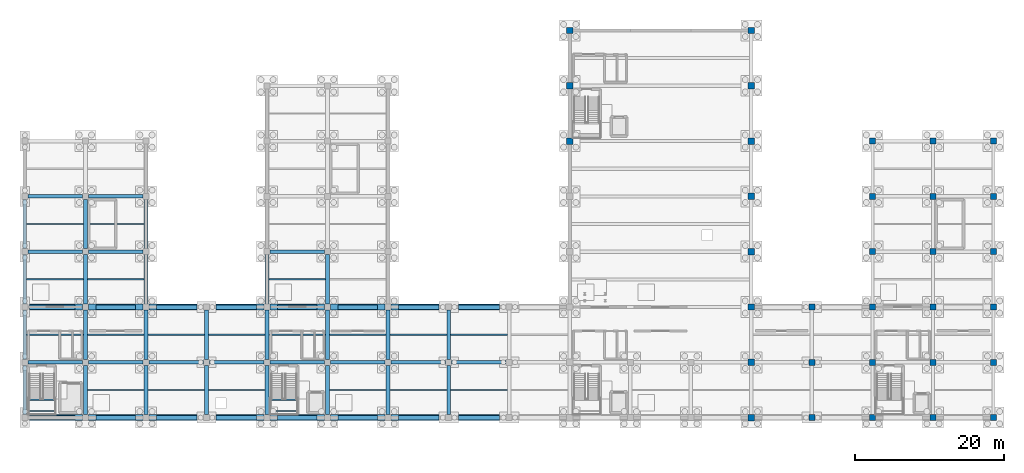
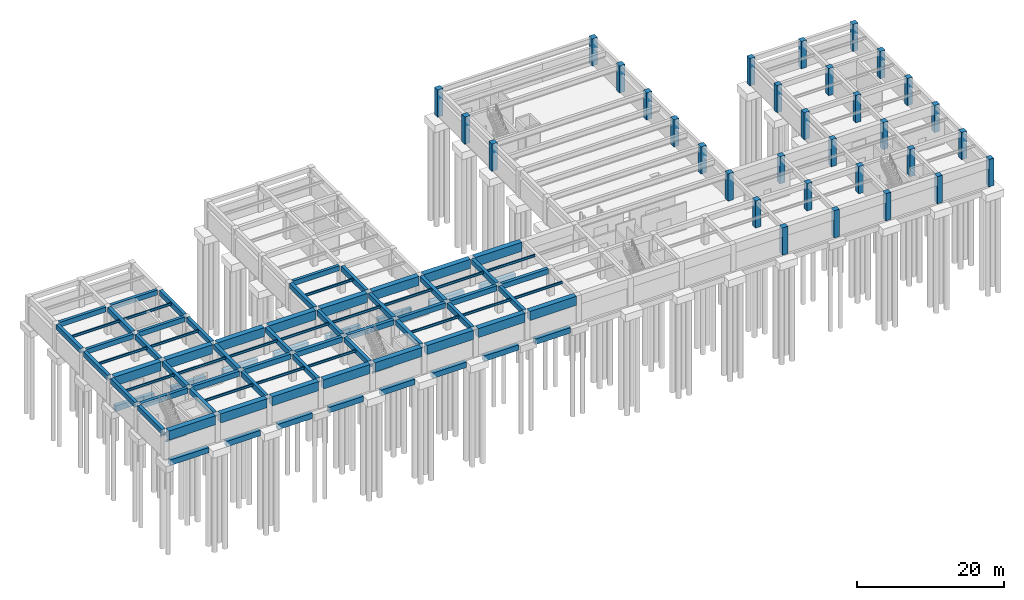
# One storey, part 4 of 14: 92 beams, 32 columns.
"""IFC4 building model written with IfcOpenShell, lengths in metres."""

from ifc_helpers import new_model, si_unit, direction, frame, origin, origin_2d, place, context, subcontext, project, spatial, rectangle, i_section, extrude, material, material_profile, profile_set, type_object, element, save


model = new_model("IFC4")

# Units and contexts
model_context = context("Model", 3, precision=1e-05, world=origin(), true_north=direction((0.0, 1.0)))
body_context = subcontext(model_context, "Body", "Model", "MODEL_VIEW")
ifc_project = project(units=[si_unit("LENGTHUNIT", "METRE"), si_unit("AREAUNIT", "SQUARE_METRE"), si_unit("VOLUMEUNIT", "CUBIC_METRE"), si_unit("PLANEANGLEUNIT", "RADIAN"), si_unit("MASSUNIT", "GRAM", prefix="KILO")], contexts=[model_context])

# Site, building, storey
site_placement = place(None, origin())
site = spatial("IfcSite", under=ifc_project, at=site_placement, CompositionType="ELEMENT")
building_placement = place(site_placement, origin())
building = spatial("IfcBuilding", under=site, at=building_placement, Name="Cimatlan Art Gallery", CompositionType="ELEMENT")
storey_placement = place(building_placement, frame((0.0, 0.0, -4.800048828125)))
storey = spatial("IfcBuildingStorey", under=building, at=storey_placement, Name="B1", CompositionType="ELEMENT", Elevation=-4.800048828125)

# Columns
ifc_material_1 = material(Name="Concrete C45/55", Category="concrete")
ifc_material_profile_1 = material_profile(ifc_material_1, rectangle(XDim=0.800048828125, YDim=0.800048828125, at=origin_2d()), Name="RC800X800")
ifc_profile_set_1 = profile_set([ifc_material_profile_1], Name="Concrete C45/55")
column_type_1 = type_object("IfcColumnType", Name="COL-RC-800", PredefinedType="COLUMN", material=ifc_profile_set_1)
for number, where, z_axis, x_axis, name in (
    (1, (107.300048828125, 23.89990234375, 0.0), (0.0, 0.0, 1.0), (1.0, 0.0, 0.0), "COL-B1-13-03"),
    (2, (107.300048828125, 31.300048828125, 0.0), (0.0, 0.0, 1.0), (1.0, 0.0, 0.0), "COL-B1-13-04"),
    (3, (107.300048828125, 38.699951171875, 0.0), (0.0, 0.0, 1.0), (1.0, 0.0, 0.0), "COL-B1-13-05"),
    (4, (115.39990234375, 23.89990234375, 0.0), (0.0, 0.0, 1.0), (1.0, 0.0, 0.0), "COL-B1-14-03"),
    (5, (115.39990234375, 31.300048828125, 0.0), (0.0, 0.0, 1.0), (1.0, 0.0, 0.0), "COL-B1-14-04"),
    (6, (115.39990234375, 38.699951171875, 0.0), (0.0, 0.0, 1.0), (1.0, 0.0, 0.0), "COL-B1-14-05"),
    (7, (115.39990234375, 46.10009765625, 0.0), (0.0, 0.0, 1.0), (1.0, 0.0, 0.0), "COL-B1-14-06"),
    (8, (115.39990234375, 53.5, 0.0), (0.0, 0.0, 1.0), (1.0, 0.0, 0.0), "COL-B1-14-07"),
    (9, (115.39990234375, 60.89990234375, 0.0), (0.0, 0.0, 1.0), (1.0, 0.0, 0.0), "COL-B1-14-08"),
    (10, (123.5, 23.89990234375, 0.0), (0.0, 0.0, 1.0), (1.0, 0.0, 0.0), "COL-B1-15-03"),
    (11, (123.5, 31.300048828125, 0.0), (0.0, 0.0, 1.0), (1.0, 0.0, 0.0), "COL-B1-15-04"),
    (12, (123.5, 38.699951171875, 0.0), (0.0, 0.0, 1.0), (1.0, 0.0, 0.0), "COL-B1-15-05"),
    (13, (123.5, 46.10009765625, 0.0), (0.0, 0.0, 1.0), (1.0, 0.0, 0.0), "COL-B1-15-06"),
    (14, (123.5, 53.5, 0.0), (0.0, 0.0, 1.0), (1.0, 0.0, 0.0), "COL-B1-15-07"),
    (15, (123.5, 60.89990234375, 0.0), (0.0, 0.0, 1.0), (1.0, 0.0, 0.0), "COL-B1-15-08"),
    (16, (131.60009765625, 23.89990234375, 0.0), (0.0, 0.0, 1.0), (1.0, 0.0, 0.0), "COL-B1-16-03"),
    (17, (131.60009765625, 31.300048828125, 0.0), (0.0, 0.0, 1.0), (1.0, 0.0, 0.0), "COL-B1-16-04"),
    (18, (131.60009765625, 38.699951171875, 0.0), (0.0, 0.0, 1.0), (1.0, 0.0, 0.0), "COL-B1-16-05"),
    (19, (131.60009765625, 46.10009765625, 0.0), (0.0, 0.0, 1.0), (1.0, 0.0, 0.0), "COL-B1-16-06"),
    (20, (131.60009765625, 53.5, 0.0), (0.0, 0.0, 1.0), (1.0, 0.0, 0.0), "COL-B1-16-07"),
    (21, (131.60009765625, 60.89990234375, 0.0), (0.0, 0.0, 1.0), (1.0, 0.0, 0.0), "COL-B1-16-08"),
):
    element("IfcColumn", number, at=place(storey_placement, frame(where, z_axis=z_axis, x_axis=x_axis)), inside=storey, type_object=column_type_1, Name=name, PredefinedType="COLUMN", context=body_context, shape_type="SweptSolid", body=[
        extrude(rectangle(XDim=0.800048828125, YDim=0.800048828125, at=origin_2d()), origin(), (0.0, 0.0, 1.0), 4.52001953125),
    ])
ifc_material_profile_2 = material_profile(ifc_material_1, rectangle(XDim=0.85009765625, YDim=0.85009765625, at=origin_2d()), Name="RC850X850")
ifc_profile_set_2 = profile_set([ifc_material_profile_2], Name="Concrete C45/55")
column_type_2 = type_object("IfcColumnType", Name="COL-RC-850", PredefinedType="COLUMN", material=ifc_profile_set_2)
for number, where, z_axis, x_axis, name in (
    (22, (74.89990234375, 60.89990234375, 0.0), (0.0, 0.0, 1.0), (1.0, 0.0, 0.0), "COL-B1-09-08"),
    (23, (74.89990234375, 68.300048828125, 0.0), (0.0, 0.0, 1.0), (1.0, 0.0, 0.0), "COL-B1-09-09"),
    (24, (74.89990234375, 75.699951171875, 0.0), (0.0, 0.0, 1.0), (1.0, 0.0, 0.0), "COL-B1-09-10"),
    (25, (99.199951171875, 23.89990234375, 0.0), (0.0, 0.0, 1.0), (1.0, 0.0, 0.0), "COL-B1-12-03"),
    (26, (99.199951171875, 31.300048828125, 0.0), (0.0, 0.0, 1.0), (1.0, 0.0, 0.0), "COL-B1-12-04"),
    (27, (99.199951171875, 38.699951171875, 0.0), (0.0, 0.0, 1.0), (1.0, 0.0, 0.0), "COL-B1-12-05"),
    (28, (99.199951171875, 46.10009765625, 0.0), (0.0, 0.0, 1.0), (1.0, 0.0, 0.0), "COL-B1-12-06"),
    (29, (99.199951171875, 53.5, 0.0), (0.0, 0.0, 1.0), (1.0, 0.0, 0.0), "COL-B1-12-07"),
    (30, (99.199951171875, 60.89990234375, 0.0), (0.0, 0.0, 1.0), (1.0, 0.0, 0.0), "COL-B1-12-08"),
    (31, (99.199951171875, 68.300048828125, 0.0), (0.0, 0.0, 1.0), (1.0, 0.0, 0.0), "COL-B1-12-09"),
    (32, (99.199951171875, 75.699951171875, 0.0), (0.0, 0.0, 1.0), (1.0, 0.0, 0.0), "COL-B1-12-10"),
):
    element("IfcColumn", number, at=place(storey_placement, frame(where, z_axis=z_axis, x_axis=x_axis)), inside=storey, type_object=column_type_2, Name=name, PredefinedType="COLUMN", context=body_context, shape_type="SweptSolid", body=[
        extrude(rectangle(XDim=0.85009765625, YDim=0.85009765625, at=origin_2d()), origin(), (0.0, 0.0, 1.0), 4.52001953125),
    ])

# Beams
ifc_material_2 = material(Name="Concrete C40/50", Category="concrete")
ifc_material_profile_3 = material_profile(ifc_material_2, rectangle(XDim=0.60009765625, YDim=0.89990234375, at=origin_2d()), Name="RC600X900")
ifc_profile_set_3 = profile_set([ifc_material_profile_3], Name="Concrete C40/50")
beam_type_1 = type_object("IfcBeamType", Name="BM-GB-600X900", PredefinedType="BEAM", material=ifc_profile_set_3)
for number, where, z_axis, x_axis, name in (
    (33, (2.64990234375, 23.89990234375, -0.89990234375), (1.0, 0.0, 0.0), (0.0, 1.0, 0.0), "BM-GB-X-00-03"),
    (34, (2.64990234375, 38.699951171875, -0.89990234375), (1.0, 0.0, 0.0), (0.0, 1.0, 0.0), "BM-GB-X-00-05"),
):
    element("IfcBeam", number, at=place(storey_placement, frame(where, z_axis=z_axis, x_axis=x_axis)), inside=storey, type_object=beam_type_1, Name=name, PredefinedType="BEAM", context=body_context, shape_type="SweptSolid", body=[
        extrude(rectangle(XDim=0.60009765625, YDim=0.89990234375, at=origin_2d()), origin(), (0.0, 0.0, 1.0), 6.050048828125),
    ])
for number, where, z_axis, x_axis, name in (
    (35, (11.5, 23.89990234375, -0.89990234375), (1.0, 0.0, 0.0), (0.0, 1.0, 0.0), "BM-GB-X-01-03"),
    (36, (11.5, 38.699951171875, -0.89990234375), (1.0, 0.0, 0.0), (0.0, 1.0, 0.0), "BM-GB-X-01-05"),
):
    element("IfcBeam", number, at=place(storey_placement, frame(where, z_axis=z_axis, x_axis=x_axis)), inside=storey, type_object=beam_type_1, Name=name, PredefinedType="BEAM", context=body_context, shape_type="SweptSolid", body=[
        extrude(rectangle(XDim=0.60009765625, YDim=0.89990234375, at=origin_2d()), origin(), (0.0, 0.0, 1.0), 5.300048828125),
    ])
for number, where, z_axis, x_axis, name in (
    (37, (19.60009765625, 23.89990234375, -0.89990234375), (1.0, 0.0, 0.0), (0.0, 1.0, 0.0), "BM-GB-X-02-03"),
    (38, (19.60009765625, 38.699951171875, -0.89990234375), (1.0, 0.0, 0.0), (0.0, 1.0, 0.0), "BM-GB-X-02-05"),
    (39, (27.60009765625, 23.89990234375, -0.89990234375), (1.0, 0.0, 0.0), (0.0, 1.0, 0.0), "BM-GB-X-03-03"),
    (40, (27.60009765625, 38.699951171875, -0.89990234375), (1.0, 0.0, 0.0), (0.0, 1.0, 0.0), "BM-GB-X-03-05"),
):
    element("IfcBeam", number, at=place(storey_placement, frame(where, z_axis=z_axis, x_axis=x_axis)), inside=storey, type_object=beam_type_1, Name=name, PredefinedType="BEAM", context=body_context, shape_type="SweptSolid", body=[
        extrude(rectangle(XDim=0.60009765625, YDim=0.89990234375, at=origin_2d()), origin(), (0.0, 0.0, 1.0), 5.39990234375),
    ])
for number, where, z_axis, x_axis, name in (
    (41, (35.800048828125, 23.89990234375, -0.89990234375), (1.0, 0.0, 0.0), (0.0, 1.0, 0.0), "BM-GB-X-04-03"),
    (42, (35.800048828125, 38.699951171875, -0.89990234375), (1.0, 0.0, 0.0), (0.0, 1.0, 0.0), "BM-GB-X-04-05"),
    (43, (43.89990234375, 23.89990234375, -0.89990234375), (1.0, 0.0, 0.0), (0.0, 1.0, 0.0), "BM-GB-X-05-03"),
    (44, (43.89990234375, 38.699951171875, -0.89990234375), (1.0, 0.0, 0.0), (0.0, 1.0, 0.0), "BM-GB-X-05-05"),
):
    element("IfcBeam", number, at=place(storey_placement, frame(where, z_axis=z_axis, x_axis=x_axis)), inside=storey, type_object=beam_type_1, Name=name, PredefinedType="BEAM", context=body_context, shape_type="SweptSolid", body=[
        extrude(rectangle(XDim=0.60009765625, YDim=0.89990234375, at=origin_2d()), origin(), (0.0, 0.0, 1.0), 5.300048828125),
    ])
for number, where, z_axis, x_axis, name in (
    (45, (52.0, 23.89990234375, -0.89990234375), (1.0, 0.0, 0.0), (0.0, 1.0, 0.0), "BM-GB-X-06-03"),
    (46, (52.0, 38.699951171875, -0.89990234375), (1.0, 0.0, 0.0), (0.0, 1.0, 0.0), "BM-GB-X-06-05"),
):
    element("IfcBeam", number, at=place(storey_placement, frame(where, z_axis=z_axis, x_axis=x_axis)), inside=storey, type_object=beam_type_1, Name=name, PredefinedType="BEAM", context=body_context, shape_type="SweptSolid", body=[
        extrude(rectangle(XDim=0.60009765625, YDim=0.89990234375, at=origin_2d()), origin(), (0.0, 0.0, 1.0), 5.39990234375),
    ])
for number, where, z_axis, x_axis, name in (
    (47, (60.0, 23.89990234375, -0.89990234375), (1.0, 0.0, 0.0), (0.0, 1.0, 0.0), "BM-GB-X-07-03"),
    (48, (60.0, 38.699951171875, -0.89990234375), (1.0, 0.0, 0.0), (0.0, 1.0, 0.0), "BM-GB-X-07-05"),
):
    element("IfcBeam", number, at=place(storey_placement, frame(where, z_axis=z_axis, x_axis=x_axis)), inside=storey, type_object=beam_type_1, Name=name, PredefinedType="BEAM", context=body_context, shape_type="SweptSolid", body=[
        extrude(rectangle(XDim=0.60009765625, YDim=0.89990234375, at=origin_2d()), origin(), (0.0, 0.0, 1.0), 5.5),
    ])
ifc_material_profile_4 = material_profile(ifc_material_2, rectangle(XDim=0.449951171875, YDim=0.800048828125, at=origin_2d()), Name="RC450X800")
ifc_profile_set_4 = profile_set([ifc_material_profile_4], Name="Concrete C40/50")
beam_type_2 = type_object("IfcBeamType", Name="BM-RC-450X800", PredefinedType="BEAM", material=ifc_profile_set_4)
for number, where, z_axis, x_axis, name in (
    (49, (2.39990234375, 46.10009765625, 4.1201171875), (1.0, 0.0, 0.0), (0.0, 1.0, 0.0), "BM-X-B1-00-06"),
    (50, (2.39990234375, 53.5, 4.1201171875), (1.0, 0.0, 0.0), (0.0, 1.0, 0.0), "BM-X-B1-00-07"),
    (51, (10.5, 46.10009765625, 4.1201171875), (1.0, 0.0, 0.0), (0.0, 1.0, 0.0), "BM-X-B1-01-06"),
    (52, (10.5, 53.5, 4.1201171875), (1.0, 0.0, 0.0), (0.0, 1.0, 0.0), "BM-X-B1-01-07"),
    (53, (34.800048828125, 46.10009765625, 4.1201171875), (1.0, 0.0, 0.0), (0.0, 1.0, 0.0), "BM-X-B1-04-06"),
):
    element("IfcBeam", number, at=place(storey_placement, frame(where, z_axis=z_axis, x_axis=x_axis)), inside=storey, type_object=beam_type_2, Name=name, PredefinedType="BEAM", context=body_context, shape_type="SweptSolid", body=[
        extrude(rectangle(XDim=0.449951171875, YDim=0.800048828125, at=origin_2d()), origin(), (0.0, 0.0, 1.0), 7.300048828125),
    ])
ifc_material_profile_5 = material_profile(ifc_material_2, rectangle(XDim=0.5, YDim=0.85009765625, at=origin_2d()), Name="RC500X850")
ifc_profile_set_5 = profile_set([ifc_material_profile_5], Name="Concrete C40/50")
beam_type_3 = type_object("IfcBeamType", Name="BM-RC-500X850", PredefinedType="BEAM", material=ifc_profile_set_5)
beam_1_placement = place(storey_placement, frame((2.0, 24.300048828125, 4.094970703125), z_axis=(0.0, 1.0, 0.0), x_axis=(-1.0, 0.0, 0.0)))
element("IfcBeam", 54, at=beam_1_placement, inside=storey, type_object=beam_type_3, Name="BM-Y-B1-00-03", PredefinedType="BEAM", context=body_context, shape_type="SweptSolid", body=[
    extrude(rectangle(XDim=0.5, YDim=0.85009765625, at=origin_2d()), origin(), (0.0, 0.0, 1.0), 6.599853515625),
])
beam_2_placement = place(storey_placement, frame((2.0, 31.699951171875, 4.094970703125), z_axis=(0.0, 1.0, 0.0), x_axis=(-1.0, 0.0, 0.0)))
element("IfcBeam", 55, at=beam_2_placement, inside=storey, type_object=beam_type_3, Name="BM-Y-B1-00-04", PredefinedType="BEAM", context=body_context, shape_type="SweptSolid", body=[
    extrude(rectangle(XDim=0.5, YDim=0.85009765625, at=origin_2d()), origin(), (0.0, 0.0, 1.0), 6.60009765625),
])
beam_3_placement = place(storey_placement, frame((2.0, 39.10009765625, 4.094970703125), z_axis=(0.0, 1.0, 0.0), x_axis=(-1.0, 0.0, 0.0)))
element("IfcBeam", 56, at=beam_3_placement, inside=storey, type_object=beam_type_3, Name="BM-Y-B1-00-05", PredefinedType="BEAM", context=body_context, shape_type="SweptSolid", body=[
    extrude(rectangle(XDim=0.5, YDim=0.85009765625, at=origin_2d()), origin(), (0.0, 0.0, 1.0), 6.599853515625),
])
beam_4_placement = place(storey_placement, frame((2.0, 46.5, 4.094970703125), z_axis=(0.0, 1.0, 0.0), x_axis=(-1.0, 0.0, 0.0)))
element("IfcBeam", 57, at=beam_4_placement, inside=storey, type_object=beam_type_3, Name="BM-Y-B1-00-06", PredefinedType="BEAM", context=body_context, shape_type="SweptSolid", body=[
    extrude(rectangle(XDim=0.5, YDim=0.85009765625, at=origin_2d()), origin(), (0.0, 0.0, 1.0), 6.60009765625),
])
beam_5_placement = place(storey_placement, frame((10.10009765625, 24.300048828125, 4.094970703125), z_axis=(0.0, 1.0, 0.0), x_axis=(-1.0, 0.0, 0.0)))
element("IfcBeam", 58, at=beam_5_placement, inside=storey, type_object=beam_type_3, Name="BM-Y-B1-01-03", PredefinedType="BEAM", context=body_context, shape_type="SweptSolid", body=[
    extrude(rectangle(XDim=0.5, YDim=0.85009765625, at=origin_2d()), origin(), (0.0, 0.0, 1.0), 6.599853515625),
])
beam_6_placement = place(storey_placement, frame((10.10009765625, 31.699951171875, 4.094970703125), z_axis=(0.0, 1.0, 0.0), x_axis=(-1.0, 0.0, 0.0)))
element("IfcBeam", 59, at=beam_6_placement, inside=storey, type_object=beam_type_3, Name="BM-Y-B1-01-04", PredefinedType="BEAM", context=body_context, shape_type="SweptSolid", body=[
    extrude(rectangle(XDim=0.5, YDim=0.85009765625, at=origin_2d()), origin(), (0.0, 0.0, 1.0), 6.60009765625),
])
beam_7_placement = place(storey_placement, frame((10.10009765625, 39.10009765625, 4.094970703125), z_axis=(0.0, 1.0, 0.0), x_axis=(-1.0, 0.0, 0.0)))
element("IfcBeam", 60, at=beam_7_placement, inside=storey, type_object=beam_type_3, Name="BM-Y-B1-01-05", PredefinedType="BEAM", context=body_context, shape_type="SweptSolid", body=[
    extrude(rectangle(XDim=0.5, YDim=0.85009765625, at=origin_2d()), origin(), (0.0, 0.0, 1.0), 6.599853515625),
])
beam_8_placement = place(storey_placement, frame((10.10009765625, 46.5, 4.094970703125), z_axis=(0.0, 1.0, 0.0), x_axis=(-1.0, 0.0, 0.0)))
element("IfcBeam", 61, at=beam_8_placement, inside=storey, type_object=beam_type_3, Name="BM-Y-B1-01-06", PredefinedType="BEAM", context=body_context, shape_type="SweptSolid", body=[
    extrude(rectangle(XDim=0.5, YDim=0.85009765625, at=origin_2d()), origin(), (0.0, 0.0, 1.0), 6.60009765625),
])
beam_9_placement = place(storey_placement, frame((18.199951171875, 24.300048828125, 4.094970703125), z_axis=(0.0, 1.0, 0.0), x_axis=(-1.0, 0.0, 0.0)))
element("IfcBeam", 62, at=beam_9_placement, inside=storey, type_object=beam_type_3, Name="BM-Y-B1-02-03", PredefinedType="BEAM", context=body_context, shape_type="SweptSolid", body=[
    extrude(rectangle(XDim=0.5, YDim=0.85009765625, at=origin_2d()), origin(), (0.0, 0.0, 1.0), 6.599853515625),
])
beam_10_placement = place(storey_placement, frame((18.199951171875, 31.699951171875, 4.094970703125), z_axis=(0.0, 1.0, 0.0), x_axis=(-1.0, 0.0, 0.0)))
element("IfcBeam", 63, at=beam_10_placement, inside=storey, type_object=beam_type_3, Name="BM-Y-B1-02-04", PredefinedType="BEAM", context=body_context, shape_type="SweptSolid", body=[
    extrude(rectangle(XDim=0.5, YDim=0.85009765625, at=origin_2d()), origin(), (0.0, 0.0, 1.0), 6.60009765625),
])
beam_11_placement = place(storey_placement, frame((18.199951171875, 39.10009765625, 4.094970703125), z_axis=(0.0, 1.0, 0.0), x_axis=(-1.0, 0.0, 0.0)))
element("IfcBeam", 64, at=beam_11_placement, inside=storey, type_object=beam_type_3, Name="BM-Y-B1-02-05", PredefinedType="BEAM", context=body_context, shape_type="SweptSolid", body=[
    extrude(rectangle(XDim=0.5, YDim=0.85009765625, at=origin_2d()), origin(), (0.0, 0.0, 1.0), 6.599853515625),
])
beam_12_placement = place(storey_placement, frame((18.199951171875, 46.5, 4.094970703125), z_axis=(0.0, 1.0, 0.0), x_axis=(-1.0, 0.0, 0.0)))
element("IfcBeam", 65, at=beam_12_placement, inside=storey, type_object=beam_type_3, Name="BM-Y-B1-02-06", PredefinedType="BEAM", context=body_context, shape_type="SweptSolid", body=[
    extrude(rectangle(XDim=0.5, YDim=0.85009765625, at=origin_2d()), origin(), (0.0, 0.0, 1.0), 6.60009765625),
])
beam_13_placement = place(storey_placement, frame((26.300048828125, 24.300048828125, 4.094970703125), z_axis=(0.0, 1.0, 0.0), x_axis=(-1.0, 0.0, 0.0)))
element("IfcBeam", 66, at=beam_13_placement, inside=storey, type_object=beam_type_3, Name="BM-Y-B1-03-03", PredefinedType="BEAM", context=body_context, shape_type="SweptSolid", body=[
    extrude(rectangle(XDim=0.5, YDim=0.85009765625, at=origin_2d()), origin(), (0.0, 0.0, 1.0), 6.599853515625),
])
beam_14_placement = place(storey_placement, frame((26.300048828125, 31.699951171875, 4.094970703125), z_axis=(0.0, 1.0, 0.0), x_axis=(-1.0, 0.0, 0.0)))
element("IfcBeam", 67, at=beam_14_placement, inside=storey, type_object=beam_type_3, Name="BM-Y-B1-03-04", PredefinedType="BEAM", context=body_context, shape_type="SweptSolid", body=[
    extrude(rectangle(XDim=0.5, YDim=0.85009765625, at=origin_2d()), origin(), (0.0, 0.0, 1.0), 6.60009765625),
])
beam_15_placement = place(storey_placement, frame((34.39990234375, 24.300048828125, 4.094970703125), z_axis=(0.0, 1.0, 0.0), x_axis=(-1.0, 0.0, 0.0)))
element("IfcBeam", 68, at=beam_15_placement, inside=storey, type_object=beam_type_3, Name="BM-Y-B1-04-03", PredefinedType="BEAM", context=body_context, shape_type="SweptSolid", body=[
    extrude(rectangle(XDim=0.5, YDim=0.85009765625, at=origin_2d()), origin(), (0.0, 0.0, 1.0), 6.599853515625),
])
beam_16_placement = place(storey_placement, frame((34.39990234375, 31.699951171875, 4.094970703125), z_axis=(0.0, 1.0, 0.0), x_axis=(-1.0, 0.0, 0.0)))
element("IfcBeam", 69, at=beam_16_placement, inside=storey, type_object=beam_type_3, Name="BM-Y-B1-04-04", PredefinedType="BEAM", context=body_context, shape_type="SweptSolid", body=[
    extrude(rectangle(XDim=0.5, YDim=0.85009765625, at=origin_2d()), origin(), (0.0, 0.0, 1.0), 6.60009765625),
])
for number, where, z_axis, x_axis, name in (
    (70, (34.39990234375, 39.10009765625, 4.094970703125), (0.0, 1.0, 0.0), (-1.0, 0.0, 0.0), "BM-Y-B1-04-05"),
    (71, (42.5, 24.300048828125, 4.094970703125), (0.0, 1.0, 0.0), (-1.0, 0.0, 0.0), "BM-Y-B1-05-03"),
):
    element("IfcBeam", number, at=place(storey_placement, frame(where, z_axis=z_axis, x_axis=x_axis)), inside=storey, type_object=beam_type_3, Name=name, PredefinedType="BEAM", context=body_context, shape_type="SweptSolid", body=[
        extrude(rectangle(XDim=0.5, YDim=0.85009765625, at=origin_2d()), origin(), (0.0, 0.0, 1.0), 6.599853515625),
    ])
beam_17_placement = place(storey_placement, frame((42.5, 31.699951171875, 4.094970703125), z_axis=(0.0, 1.0, 0.0), x_axis=(-1.0, 0.0, 0.0)))
element("IfcBeam", 72, at=beam_17_placement, inside=storey, type_object=beam_type_3, Name="BM-Y-B1-05-04", PredefinedType="BEAM", context=body_context, shape_type="SweptSolid", body=[
    extrude(rectangle(XDim=0.5, YDim=0.85009765625, at=origin_2d()), origin(), (0.0, 0.0, 1.0), 6.60009765625),
])
for number, where, z_axis, x_axis, name in (
    (73, (42.5, 39.10009765625, 4.094970703125), (0.0, 1.0, 0.0), (-1.0, 0.0, 0.0), "BM-Y-B1-05-05"),
    (74, (50.60009765625, 24.300048828125, 4.094970703125), (0.0, 1.0, 0.0), (-1.0, 0.0, 0.0), "BM-Y-B1-06-03"),
):
    element("IfcBeam", number, at=place(storey_placement, frame(where, z_axis=z_axis, x_axis=x_axis)), inside=storey, type_object=beam_type_3, Name=name, PredefinedType="BEAM", context=body_context, shape_type="SweptSolid", body=[
        extrude(rectangle(XDim=0.5, YDim=0.85009765625, at=origin_2d()), origin(), (0.0, 0.0, 1.0), 6.599853515625),
    ])
beam_18_placement = place(storey_placement, frame((50.60009765625, 31.699951171875, 4.094970703125), z_axis=(0.0, 1.0, 0.0), x_axis=(-1.0, 0.0, 0.0)))
element("IfcBeam", 75, at=beam_18_placement, inside=storey, type_object=beam_type_3, Name="BM-Y-B1-06-04", PredefinedType="BEAM", context=body_context, shape_type="SweptSolid", body=[
    extrude(rectangle(XDim=0.5, YDim=0.85009765625, at=origin_2d()), origin(), (0.0, 0.0, 1.0), 6.60009765625),
])
beam_19_placement = place(storey_placement, frame((58.699951171875, 24.300048828125, 4.094970703125), z_axis=(0.0, 1.0, 0.0), x_axis=(-1.0, 0.0, 0.0)))
element("IfcBeam", 76, at=beam_19_placement, inside=storey, type_object=beam_type_3, Name="BM-Y-B1-07-03", PredefinedType="BEAM", context=body_context, shape_type="SweptSolid", body=[
    extrude(rectangle(XDim=0.5, YDim=0.85009765625, at=origin_2d()), origin(), (0.0, 0.0, 1.0), 6.599853515625),
])
beam_20_placement = place(storey_placement, frame((58.699951171875, 31.699951171875, 4.094970703125), z_axis=(0.0, 1.0, 0.0), x_axis=(-1.0, 0.0, 0.0)))
element("IfcBeam", 77, at=beam_20_placement, inside=storey, type_object=beam_type_3, Name="BM-Y-B1-07-04", PredefinedType="BEAM", context=body_context, shape_type="SweptSolid", body=[
    extrude(rectangle(XDim=0.5, YDim=0.85009765625, at=origin_2d()), origin(), (0.0, 0.0, 1.0), 6.60009765625),
])
for number, where, z_axis, x_axis, name in (
    (78, (2.39990234375, 31.300048828125, 4.094970703125), (1.0, 0.0, 0.0), (0.0, 1.0, 0.0), "BM-X-B1-00-04"),
    (79, (10.5, 31.300048828125, 4.094970703125), (1.0, 0.0, 0.0), (0.0, 1.0, 0.0), "BM-X-B1-01-04"),
):
    element("IfcBeam", number, at=place(storey_placement, frame(where, z_axis=z_axis, x_axis=x_axis)), inside=storey, type_object=beam_type_3, Name=name, PredefinedType="BEAM", context=body_context, shape_type="SweptSolid", body=[
        extrude(rectangle(XDim=0.5, YDim=0.85009765625, at=origin_2d()), origin(), (0.0, 0.0, 1.0), 7.300048828125),
    ])
beam_21_placement = place(storey_placement, frame((18.60009765625, 31.300048828125, 4.094970703125), z_axis=(1.0, 0.0, 0.0), x_axis=(0.0, 1.0, 0.0)))
element("IfcBeam", 80, at=beam_21_placement, inside=storey, type_object=beam_type_3, Name="BM-X-B1-02-04", PredefinedType="BEAM", context=body_context, shape_type="SweptSolid", body=[
    extrude(rectangle(XDim=0.5, YDim=0.85009765625, at=origin_2d()), origin(), (0.0, 0.0, 1.0), 7.2998046875),
])
for number, where, z_axis, x_axis, name in (
    (81, (26.699951171875, 31.300048828125, 4.094970703125), (1.0, 0.0, 0.0), (0.0, 1.0, 0.0), "BM-X-B1-03-04"),
    (82, (34.800048828125, 31.300048828125, 4.094970703125), (1.0, 0.0, 0.0), (0.0, 1.0, 0.0), "BM-X-B1-04-04"),
    (83, (42.89990234375, 31.300048828125, 4.094970703125), (1.0, 0.0, 0.0), (0.0, 1.0, 0.0), "BM-X-B1-05-04"),
    (84, (51.0, 31.300048828125, 4.094970703125), (1.0, 0.0, 0.0), (0.0, 1.0, 0.0), "BM-X-B1-06-04"),
):
    element("IfcBeam", number, at=place(storey_placement, frame(where, z_axis=z_axis, x_axis=x_axis)), inside=storey, type_object=beam_type_3, Name=name, PredefinedType="BEAM", context=body_context, shape_type="SweptSolid", body=[
        extrude(rectangle(XDim=0.5, YDim=0.85009765625, at=origin_2d()), origin(), (0.0, 0.0, 1.0), 7.300048828125),
    ])
beam_22_placement = place(storey_placement, frame((59.10009765625, 31.300048828125, 4.094970703125), z_axis=(1.0, 0.0, 0.0), x_axis=(0.0, 1.0, 0.0)))
element("IfcBeam", 85, at=beam_22_placement, inside=storey, type_object=beam_type_3, Name="BM-X-B1-07-04", PredefinedType="BEAM", context=body_context, shape_type="SweptSolid", body=[
    extrude(rectangle(XDim=0.5, YDim=0.85009765625, at=origin_2d()), origin(), (0.0, 0.0, 1.0), 7.2998046875),
])
ifc_material_3 = material(Name="Steel ASTM A992 Grade 50", Category="steel")
ifc_material_profile_6 = material_profile(ifc_material_3, i_section(OverallWidth=0.1650390625, OverallDepth=0.31005859375, WebThickness=0.005859375, FlangeThickness=0.009765625, at=origin_2d()), Name="W12X26")
ifc_profile_set_6 = profile_set([ifc_material_profile_6], Name="Steel ASTM A992 Grade 50")
beam_type_4 = type_object("IfcBeamType", Name="BM-STL-W12X26", PredefinedType="JOIST", material=ifc_profile_set_6)
for number, where, z_axis, x_axis, name in (
    (86, (2.614990234375, 24.800048828125, 2.025146484375), (1.0, 0.0, 0.0), (0.0, 1.0, 0.0), "BM-STR-C1-B1-LH1"),
    (87, (2.614990234375, 26.300048828125, 2.025146484375), (1.0, 0.0, 0.0), (0.0, 1.0, 0.0), "BM-STR-C1-B1-LH2"),
    (88, (35.014892578125, 24.800048828125, 2.025146484375), (1.0, 0.0, 0.0), (0.0, 1.0, 0.0), "BM-STR-C2-B1-LH1"),
    (89, (35.014892578125, 26.300048828125, 2.025146484375), (1.0, 0.0, 0.0), (0.0, 1.0, 0.0), "BM-STR-C2-B1-LH2"),
):
    element("IfcBeam", number, at=place(storey_placement, frame(where, z_axis=z_axis, x_axis=x_axis)), inside=storey, type_object=beam_type_4, Name=name, PredefinedType="JOIST", context=body_context, shape_type="SweptSolid", body=[
        extrude(i_section(OverallWidth=0.1650390625, OverallDepth=0.31005859375, WebThickness=0.005859375, FlangeThickness=0.009765625, at=origin_2d()), origin(), (0.0, 0.0, 1.0), 3.2900390625),
    ])
ifc_material_profile_7 = material_profile(ifc_material_3, i_section(OverallWidth=0.177978515625, OverallDepth=0.406982421875, WebThickness=0.0078125, FlangeThickness=0.0126953125, at=origin_2d()), Name="W16X40")
ifc_profile_set_7 = profile_set([ifc_material_profile_7], Name="Steel ASTM A992 Grade 50")
beam_type_5 = type_object("IfcBeamType", Name="BM-STL-W16X40", PredefinedType="JOIST", material=ifc_profile_set_7)
for number, where, z_axis, x_axis, name in (
    (90, (2.25, 35.0, 4.316650390625), (1.0, 0.0, 0.0), (0.0, 1.0, 0.0), "JST-B1-00-04"),
    (91, (2.25, 42.39990234375, 4.316650390625), (1.0, 0.0, 0.0), (0.0, 1.0, 0.0), "JST-B1-00-05"),
    (92, (2.25, 49.800048828125, 4.316650390625), (1.0, 0.0, 0.0), (0.0, 1.0, 0.0), "JST-B1-00-06"),
):
    element("IfcBeam", number, at=place(storey_placement, frame(where, z_axis=z_axis, x_axis=x_axis)), inside=storey, type_object=beam_type_5, Name=name, PredefinedType="JOIST", context=body_context, shape_type="SweptSolid", body=[
        extrude(i_section(OverallWidth=0.177978515625, OverallDepth=0.406982421875, WebThickness=0.0078125, FlangeThickness=0.0126953125, at=origin_2d()), origin(), (0.0, 0.0, 1.0), 7.60009765625),
    ])
for number, where, z_axis, x_axis, name in (
    (93, (10.35009765625, 27.60009765625, 4.316650390625), (1.0, 0.0, 0.0), (0.0, 1.0, 0.0), "JST-B1-01-03"),
    (94, (10.35009765625, 35.0, 4.316650390625), (1.0, 0.0, 0.0), (0.0, 1.0, 0.0), "JST-B1-01-04"),
    (95, (10.35009765625, 42.39990234375, 4.316650390625), (1.0, 0.0, 0.0), (0.0, 1.0, 0.0), "JST-B1-01-05"),
    (96, (10.35009765625, 49.800048828125, 4.316650390625), (1.0, 0.0, 0.0), (0.0, 1.0, 0.0), "JST-B1-01-06"),
):
    element("IfcBeam", number, at=place(storey_placement, frame(where, z_axis=z_axis, x_axis=x_axis)), inside=storey, type_object=beam_type_5, Name=name, PredefinedType="JOIST", context=body_context, shape_type="SweptSolid", body=[
        extrude(i_section(OverallWidth=0.177978515625, OverallDepth=0.406982421875, WebThickness=0.0078125, FlangeThickness=0.0126953125, at=origin_2d()), origin(), (0.0, 0.0, 1.0), 7.599853515625),
    ])
for number, where, z_axis, x_axis, name in (
    (97, (18.449951171875, 27.60009765625, 4.316650390625), (1.0, 0.0, 0.0), (0.0, 1.0, 0.0), "JST-B1-02-03"),
    (98, (18.449951171875, 35.0, 4.316650390625), (1.0, 0.0, 0.0), (0.0, 1.0, 0.0), "JST-B1-02-04"),
):
    element("IfcBeam", number, at=place(storey_placement, frame(where, z_axis=z_axis, x_axis=x_axis)), inside=storey, type_object=beam_type_5, Name=name, PredefinedType="JOIST", context=body_context, shape_type="SweptSolid", body=[
        extrude(i_section(OverallWidth=0.177978515625, OverallDepth=0.406982421875, WebThickness=0.0078125, FlangeThickness=0.0126953125, at=origin_2d()), origin(), (0.0, 0.0, 1.0), 7.60009765625),
    ])
for number, where, z_axis, x_axis, name in (
    (99, (26.550048828125, 27.60009765625, 4.316650390625), (1.0, 0.0, 0.0), (0.0, 1.0, 0.0), "JST-B1-03-03"),
    (100, (26.550048828125, 35.0, 4.316650390625), (1.0, 0.0, 0.0), (0.0, 1.0, 0.0), "JST-B1-03-04"),
):
    element("IfcBeam", number, at=place(storey_placement, frame(where, z_axis=z_axis, x_axis=x_axis)), inside=storey, type_object=beam_type_5, Name=name, PredefinedType="JOIST", context=body_context, shape_type="SweptSolid", body=[
        extrude(i_section(OverallWidth=0.177978515625, OverallDepth=0.406982421875, WebThickness=0.0078125, FlangeThickness=0.0126953125, at=origin_2d()), origin(), (0.0, 0.0, 1.0), 7.599853515625),
    ])
for number, where, z_axis, x_axis, name in (
    (101, (34.64990234375, 35.0, 4.316650390625), (1.0, 0.0, 0.0), (0.0, 1.0, 0.0), "JST-B1-04-04"),
    (102, (34.64990234375, 42.39990234375, 4.316650390625), (1.0, 0.0, 0.0), (0.0, 1.0, 0.0), "JST-B1-04-05"),
    (103, (42.75, 27.60009765625, 4.316650390625), (1.0, 0.0, 0.0), (0.0, 1.0, 0.0), "JST-B1-05-03"),
    (104, (42.75, 35.0, 4.316650390625), (1.0, 0.0, 0.0), (0.0, 1.0, 0.0), "JST-B1-05-04"),
):
    element("IfcBeam", number, at=place(storey_placement, frame(where, z_axis=z_axis, x_axis=x_axis)), inside=storey, type_object=beam_type_5, Name=name, PredefinedType="JOIST", context=body_context, shape_type="SweptSolid", body=[
        extrude(i_section(OverallWidth=0.177978515625, OverallDepth=0.406982421875, WebThickness=0.0078125, FlangeThickness=0.0126953125, at=origin_2d()), origin(), (0.0, 0.0, 1.0), 7.60009765625),
    ])
for number, where, z_axis, x_axis, name in (
    (105, (50.85009765625, 27.60009765625, 4.316650390625), (1.0, 0.0, 0.0), (0.0, 1.0, 0.0), "JST-B1-06-03"),
    (106, (50.85009765625, 35.0, 4.316650390625), (1.0, 0.0, 0.0), (0.0, 1.0, 0.0), "JST-B1-06-04"),
):
    element("IfcBeam", number, at=place(storey_placement, frame(where, z_axis=z_axis, x_axis=x_axis)), inside=storey, type_object=beam_type_5, Name=name, PredefinedType="JOIST", context=body_context, shape_type="SweptSolid", body=[
        extrude(i_section(OverallWidth=0.177978515625, OverallDepth=0.406982421875, WebThickness=0.0078125, FlangeThickness=0.0126953125, at=origin_2d()), origin(), (0.0, 0.0, 1.0), 7.599853515625),
    ])
for number, where, z_axis, x_axis, name in (
    (107, (58.949951171875, 27.60009765625, 4.316650390625), (1.0, 0.0, 0.0), (0.0, 1.0, 0.0), "JST-B1-07-03"),
    (108, (58.949951171875, 35.0, 4.316650390625), (1.0, 0.0, 0.0), (0.0, 1.0, 0.0), "JST-B1-07-04"),
):
    element("IfcBeam", number, at=place(storey_placement, frame(where, z_axis=z_axis, x_axis=x_axis)), inside=storey, type_object=beam_type_5, Name=name, PredefinedType="JOIST", context=body_context, shape_type="SweptSolid", body=[
        extrude(i_section(OverallWidth=0.177978515625, OverallDepth=0.406982421875, WebThickness=0.0078125, FlangeThickness=0.0126953125, at=origin_2d()), origin(), (0.0, 0.0, 1.0), 7.60009765625),
    ])
ifc_material_profile_8 = material_profile(ifc_material_2, rectangle(XDim=0.800048828125, YDim=1.5, at=origin_2d()), Name="RC800X1500")
ifc_profile_set_8 = profile_set([ifc_material_profile_8], Name="Concrete C40/50")
beam_type_6 = type_object("IfcBeamType", Name="BM-TRG-800X1500", PredefinedType="BEAM", material=ifc_profile_set_8)
for number, where, z_axis, x_axis, name in (
    (109, (2.39990234375, 23.89990234375, 3.77001953125), (1.0, 0.0, 0.0), (0.0, 1.0, 0.0), "BM-X-B1-00-03"),
    (110, (2.39990234375, 38.699951171875, 3.77001953125), (1.0, 0.0, 0.0), (0.0, 1.0, 0.0), "BM-X-B1-00-05"),
    (111, (10.5, 23.89990234375, 3.77001953125), (1.0, 0.0, 0.0), (0.0, 1.0, 0.0), "BM-X-B1-01-03"),
    (112, (10.5, 38.699951171875, 3.77001953125), (1.0, 0.0, 0.0), (0.0, 1.0, 0.0), "BM-X-B1-01-05"),
):
    element("IfcBeam", number, at=place(storey_placement, frame(where, z_axis=z_axis, x_axis=x_axis)), inside=storey, type_object=beam_type_6, Name=name, PredefinedType="BEAM", context=body_context, shape_type="SweptSolid", body=[
        extrude(rectangle(XDim=0.800048828125, YDim=1.5, at=origin_2d()), origin(), (0.0, 0.0, 1.0), 7.300048828125),
    ])
for number, where, z_axis, x_axis, name in (
    (113, (18.60009765625, 23.89990234375, 3.77001953125), (1.0, 0.0, 0.0), (0.0, 1.0, 0.0), "BM-X-B1-02-03"),
    (114, (18.60009765625, 38.699951171875, 3.77001953125), (1.0, 0.0, 0.0), (0.0, 1.0, 0.0), "BM-X-B1-02-05"),
):
    element("IfcBeam", number, at=place(storey_placement, frame(where, z_axis=z_axis, x_axis=x_axis)), inside=storey, type_object=beam_type_6, Name=name, PredefinedType="BEAM", context=body_context, shape_type="SweptSolid", body=[
        extrude(rectangle(XDim=0.800048828125, YDim=1.5, at=origin_2d()), origin(), (0.0, 0.0, 1.0), 7.2998046875),
    ])
for number, where, z_axis, x_axis, name in (
    (115, (26.699951171875, 23.89990234375, 3.77001953125), (1.0, 0.0, 0.0), (0.0, 1.0, 0.0), "BM-X-B1-03-03"),
    (116, (26.699951171875, 38.699951171875, 3.77001953125), (1.0, 0.0, 0.0), (0.0, 1.0, 0.0), "BM-X-B1-03-05"),
    (117, (34.800048828125, 23.89990234375, 3.77001953125), (1.0, 0.0, 0.0), (0.0, 1.0, 0.0), "BM-X-B1-04-03"),
    (118, (34.800048828125, 38.699951171875, 3.77001953125), (1.0, 0.0, 0.0), (0.0, 1.0, 0.0), "BM-X-B1-04-05"),
    (119, (42.89990234375, 23.89990234375, 3.77001953125), (1.0, 0.0, 0.0), (0.0, 1.0, 0.0), "BM-X-B1-05-03"),
    (120, (42.89990234375, 38.699951171875, 3.77001953125), (1.0, 0.0, 0.0), (0.0, 1.0, 0.0), "BM-X-B1-05-05"),
    (121, (51.0, 23.89990234375, 3.77001953125), (1.0, 0.0, 0.0), (0.0, 1.0, 0.0), "BM-X-B1-06-03"),
    (122, (51.0, 38.699951171875, 3.77001953125), (1.0, 0.0, 0.0), (0.0, 1.0, 0.0), "BM-X-B1-06-05"),
):
    element("IfcBeam", number, at=place(storey_placement, frame(where, z_axis=z_axis, x_axis=x_axis)), inside=storey, type_object=beam_type_6, Name=name, PredefinedType="BEAM", context=body_context, shape_type="SweptSolid", body=[
        extrude(rectangle(XDim=0.800048828125, YDim=1.5, at=origin_2d()), origin(), (0.0, 0.0, 1.0), 7.300048828125),
    ])
for number, where, z_axis, x_axis, name in (
    (123, (59.10009765625, 23.89990234375, 3.77001953125), (1.0, 0.0, 0.0), (0.0, 1.0, 0.0), "BM-X-B1-07-03"),
    (124, (59.10009765625, 38.699951171875, 3.77001953125), (1.0, 0.0, 0.0), (0.0, 1.0, 0.0), "BM-X-B1-07-05"),
):
    element("IfcBeam", number, at=place(storey_placement, frame(where, z_axis=z_axis, x_axis=x_axis)), inside=storey, type_object=beam_type_6, Name=name, PredefinedType="BEAM", context=body_context, shape_type="SweptSolid", body=[
        extrude(rectangle(XDim=0.800048828125, YDim=1.5, at=origin_2d()), origin(), (0.0, 0.0, 1.0), 7.2998046875),
    ])

save(model, "model.ifc")
